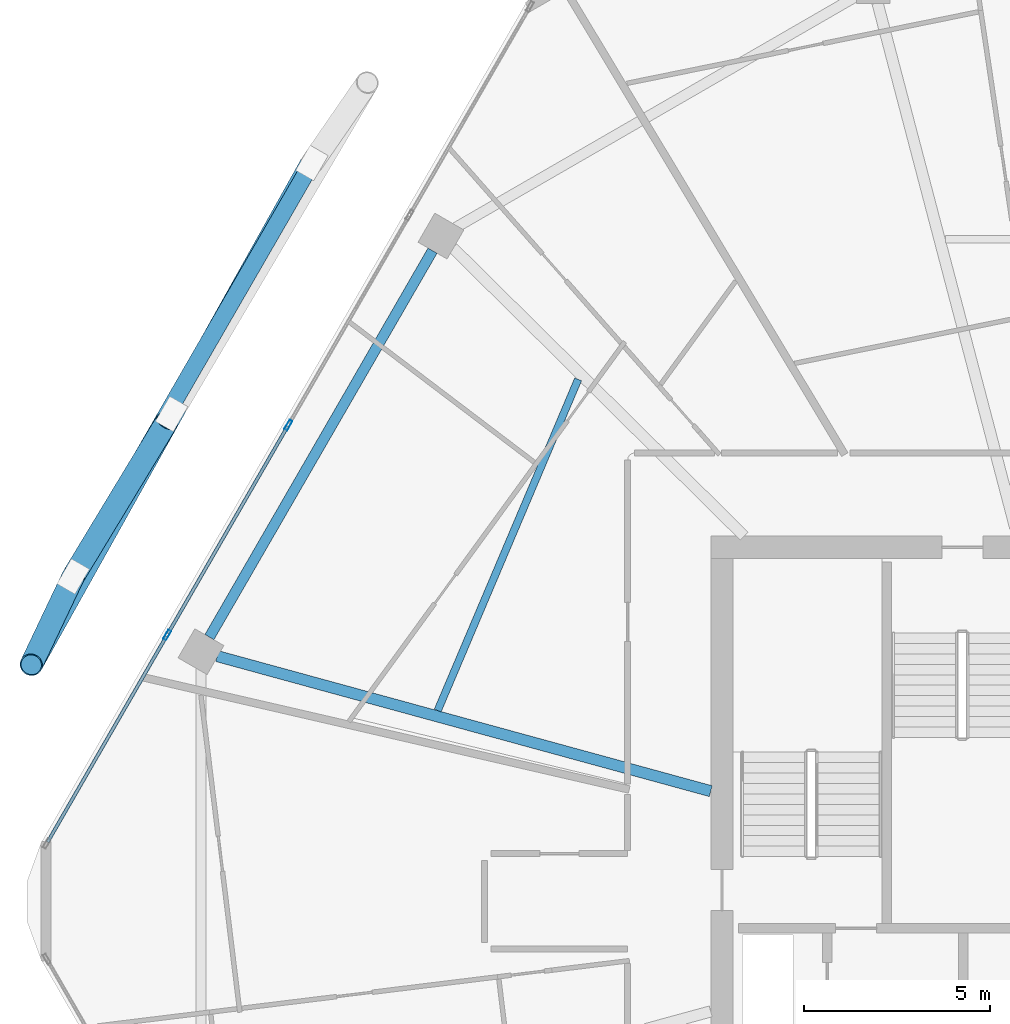
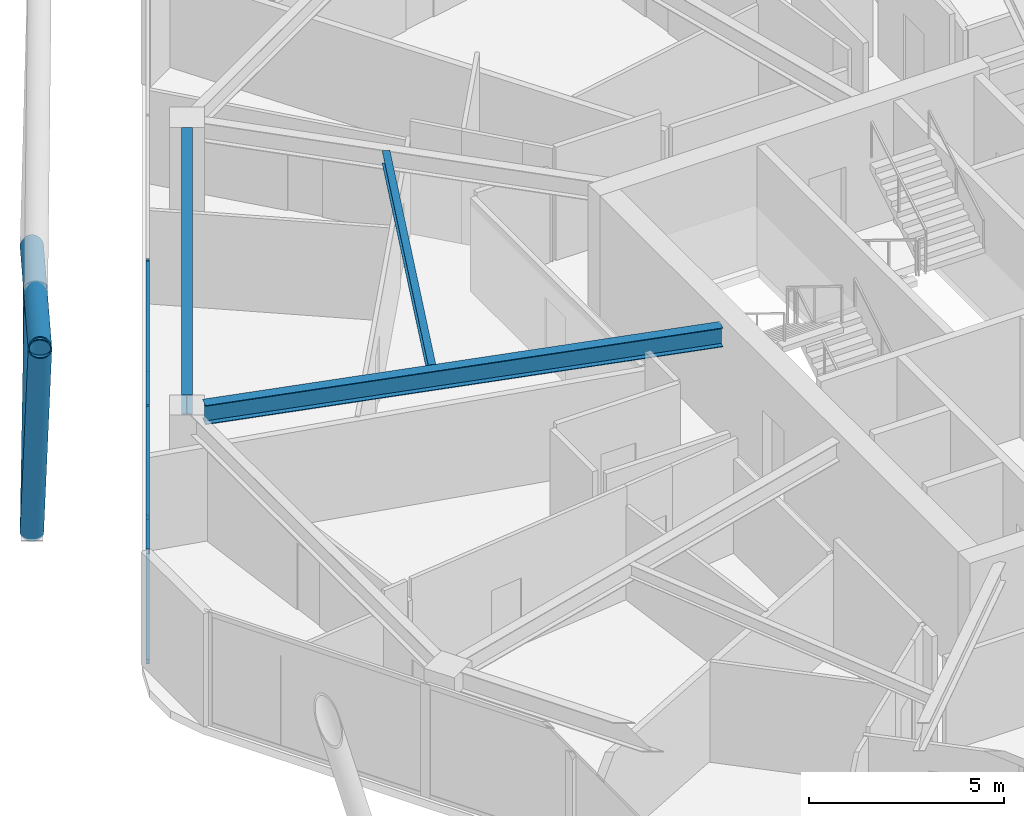
# One storey, part 12 of 28: 10 members, 3 beams, 1 element without a shape of its own.
"""IFC4 building model written with IfcOpenShell, lengths in metres."""

import ifcopenshell
import ifcopenshell.guid

model = None  # the IFC model being written
_history = None  # IfcOwnerHistory: only IFC2X3 demands one
_inside = {}  # id of a spatial element -> (the spatial element, [elements in it])
_under = {}  # id of a project, library or spatial element -> (it, [spatial elements below it])
_declared = {}  # id of a project -> (the project, [libraries it declares])
_typed = {}  # id of a type object -> (the type object, [elements of that type])
_made_of = {}  # id of a material, layer set ... -> (it, [elements and type objects made of it])


def new_model(schema):
    """Start an empty IFC model of exactly this schema.

    Asked for "IFC4X3", IfcOpenShell would pick the latest addendum, in which some entities
    have other attributes; the version numbers below select the first issue.
    IFC2X3 requires an IfcOwnerHistory on every rooted entity: one is made here for all.
    """
    global model, _history
    if schema == "IFC4X3":
        model = ifcopenshell.file(schema_version=(4, 3, 0, 0))
    else:
        model = ifcopenshell.file(schema=schema)
    _inside.clear()
    _under.clear()
    _declared.clear()
    _typed.clear()
    _made_of.clear()
    _history = None
    if model.schema == "IFC2X3":
        org = make("IfcOrganization", Name="unknown")
        user = make(
            "IfcPersonAndOrganization",
            ThePerson=make("IfcPerson", FamilyName="unknown"),
            TheOrganization=org,
        )
        app = make(
            "IfcApplication",
            ApplicationDeveloper=org,
            Version="unknown",
            ApplicationFullName="unknown",
            ApplicationIdentifier="unknown",
        )
        _history = make(
            "IfcOwnerHistory",
            OwningUser=user,
            OwningApplication=app,
            ChangeAction="ADDED",
            CreationDate=0,
        )
    return model


def make(cls, **values):
    """One entity of the class cls with the attributes given. An attribute that is None is left unset."""
    return model.create_entity(
        cls, **{name: value for name, value in values.items() if value is not None}
    )


def rooted(cls, **values):
    """An entity with a GlobalId (a new one), such as an element, a storey or a relation."""
    return make(cls, GlobalId=ifcopenshell.guid.new(), OwnerHistory=_history, **values)


def si_unit(unit_type, name, prefix=None):
    """IfcSIUnit, for example si_unit("LENGTHUNIT", "METRE", prefix="MILLI")."""
    return make("IfcSIUnit", UnitType=unit_type, Prefix=prefix, Name=name)


def assignment(units):
    """IfcUnitAssignment: the units of a project."""
    return None if units is None else make("IfcUnitAssignment", Units=units)


def point(xyz):
    """IfcCartesianPoint."""
    return None if xyz is None else make("IfcCartesianPoint", Coordinates=xyz)


def direction(xyz):
    """IfcDirection."""
    return None if xyz is None else make("IfcDirection", DirectionRatios=xyz)


def frame(location, z_axis=None, x_axis=None):
    """IfcAxis2Placement3D, a coordinate frame: its origin and axes. An axis left out is left unset."""
    return make(
        "IfcAxis2Placement3D",
        Location=point(location),
        Axis=direction(z_axis),
        RefDirection=direction(x_axis),
    )


def frame_2d(location, x_axis=None):
    """IfcAxis2Placement2D, a coordinate frame in the plane: its origin and x axis."""
    return make(
        "IfcAxis2Placement2D", Location=point(location), RefDirection=direction(x_axis)
    )


def origin():
    """The frame at (0, 0, 0) with its axes left unset."""
    return frame((0.0, 0.0, 0.0))


def origin_2d():
    """The frame at (0, 0) in the plane with its x axis left unset."""
    return frame_2d((0.0, 0.0))


def place(relative_to, where):
    """IfcLocalPlacement: puts the frame where relative to a parent placement (None: the world)."""
    return make(
        "IfcLocalPlacement", PlacementRelTo=relative_to, RelativePlacement=where
    )


def context(
    kind, dimensions, precision=None, world=None, true_north=None, identifier=None
):
    """IfcGeometricRepresentationContext, for example the 3D "Model" context."""
    return make(
        "IfcGeometricRepresentationContext",
        ContextIdentifier=identifier,
        ContextType=kind,
        CoordinateSpaceDimension=dimensions,
        Precision=precision,
        WorldCoordinateSystem=world,
        TrueNorth=true_north,
    )


def subcontext(parent, identifier, kind, view, scale=None):
    """IfcGeometricRepresentationSubContext, for example "Body" below "Model"."""
    return make(
        "IfcGeometricRepresentationSubContext",
        ContextIdentifier=identifier,
        ContextType=kind,
        ParentContext=parent,
        TargetScale=scale,
        TargetView=view,
    )


def project(units=None, contexts=None):
    """IfcProject with its units and contexts."""
    return rooted(
        "IfcProject",
        Name="project",
        RepresentationContexts=contexts,
        UnitsInContext=assignment(units),
    )


def spatial(cls, under=None, at=None, **own):
    """A site, building, storey or space (cls), placed at a placement, below another one or the project."""
    s = rooted(cls, ObjectPlacement=at, **own)
    if under is not None:
        _under.setdefault(under.id(), (under, []))[1].append(s)
    return s


def profile(cls, at=None, kind="AREA", **sizes):
    """A parametric profile (cls). Its sizes go by their IFC names, for example OverallWidth=200.0."""
    return make(cls, ProfileType=kind, Position=at, **sizes)


def hollow_rectangle(**sizes):
    """IfcRectangleHollowProfileDef."""
    return profile("IfcRectangleHollowProfileDef", **sizes)


def hollow_circle(**sizes):
    """IfcCircleHollowProfileDef."""
    return profile("IfcCircleHollowProfileDef", **sizes)


def i_section(**sizes):
    """IfcIShapeProfileDef."""
    return profile("IfcIShapeProfileDef", **sizes)


def extrude(swept, where, along, depth):
    """IfcExtrudedAreaSolid: the profile swept, set in the frame where, extruded along a direction by depth."""
    return make(
        "IfcExtrudedAreaSolid",
        SweptArea=swept,
        Position=where,
        ExtrudedDirection=direction(along),
        Depth=depth,
    )


def shape(context_of_items, identifier, shape_type, items):
    """IfcShapeRepresentation: the items that make up one representation, for example the "Body"."""
    return make(
        "IfcShapeRepresentation",
        ContextOfItems=context_of_items,
        RepresentationIdentifier=identifier,
        RepresentationType=shape_type,
        Items=items,
    )


def material(Name=None, Category=None):
    """IfcMaterial."""
    return make("IfcMaterial", Name=Name, Category=Category)


def material_profile(
    of_material, cross_section, Name=None, Category=None, Priority=None
):
    """IfcMaterialProfile: a cross section and its material."""
    return make(
        "IfcMaterialProfile",
        Name=Name,
        Material=of_material,
        Profile=cross_section,
        Priority=Priority,
        Category=Category,
    )


def profile_set(profiles, Name=None, composite=None):
    """IfcMaterialProfileSet."""
    return make(
        "IfcMaterialProfileSet",
        Name=Name,
        MaterialProfiles=profiles,
        CompositeProfile=composite,
    )


def made_of(thing, what):
    """Note that an element or type object is made of a material, layer set ...; save() writes the relation."""
    if what is not None:
        _made_of.setdefault(what.id(), (what, []))[1].append(thing)
    return thing


def type_object(cls, material=None, **own):
    """A type object (cls), such as IfcWallType, which elements share."""
    return made_of(rooted(cls, **own), material)


def element(
    cls,
    number,
    at=None,
    inside=None,
    cuts=None,
    type_object=None,
    material=None,
    context=None,
    identifier="Body",
    shape_type=None,
    held_by="IfcProductDefinitionShape",
    body=None,
    shapes=None,
    **own,
):
    """One element of the class cls, such as IfcWall. Its Tag is "e" and its number.

    at: its placement. inside: the storey or other place that contains it. cuts: it is an
    opening in that element (IfcRelVoidsElement). A single representation is given by context,
    identifier, shape_type and body (its items); several are given by shapes. held_by: the class
    of the entity that holds the representations. save() writes the other relations.
    """
    e = rooted(cls, Tag="e%d" % number, ObjectPlacement=at, **own)
    if body is not None:
        shapes = [shape(context, identifier, shape_type, body)]
    if shapes is not None:
        e.Representation = make(held_by, Representations=shapes)
    if inside is not None:
        _inside.setdefault(inside.id(), (inside, []))[1].append(e)
    if cuts is not None:
        rooted(
            "IfcRelVoidsElement", RelatingBuildingElement=cuts, RelatedOpeningElement=e
        )
    if type_object is not None:
        _typed.setdefault(type_object.id(), (type_object, []))[1].append(e)
    return made_of(e, material)


def aggregate(whole, parts):
    """IfcRelAggregates: a whole, such as a stair, and the parts it consists of."""
    return rooted("IfcRelAggregates", RelatingObject=whole, RelatedObjects=parts)


def save(model, path):
    """Write the relations noted so far, then the file.

    IfcRelAggregates (storeys below a building ...), IfcRelContainedInSpatialStructure (elements
    in a storey), IfcRelDefinesByType, IfcRelAssociatesMaterial and IfcRelDeclares: one each for
    every whole, place, type object, material and project.
    """
    for whole, parts in _under.values():
        aggregate(whole, parts)
    for where, things in _inside.values():
        rooted(
            "IfcRelContainedInSpatialStructure",
            RelatedElements=things,
            RelatingStructure=where,
        )
    for kind, things in _typed.values():
        rooted("IfcRelDefinesByType", RelatedObjects=things, RelatingType=kind)
    for what, things in _made_of.values():
        rooted("IfcRelAssociatesMaterial", RelatedObjects=things, RelatingMaterial=what)
    for by, libraries in _declared.values():
        rooted("IfcRelDeclares", RelatingContext=by, RelatedDefinitions=libraries)
    model.write(path)


model = new_model("IFC4")

# Units and contexts
model_context = context("Model", 3, precision=1e-05, world=origin(), true_north=direction((0.0, 1.0)))
body_context = subcontext(model_context, "Body", "Model", "MODEL_VIEW")
ifc_project = project(units=[si_unit("LENGTHUNIT", "METRE"), si_unit("AREAUNIT", "SQUARE_METRE"), si_unit("VOLUMEUNIT", "CUBIC_METRE"), si_unit("PLANEANGLEUNIT", "RADIAN"), si_unit("MASSUNIT", "GRAM", prefix="KILO")], contexts=[model_context])

# Site, building, storey
site_placement = place(None, origin())
site = spatial("IfcSite", under=ifc_project, at=site_placement, CompositionType="ELEMENT")
building_placement = place(site_placement, origin())
building = spatial("IfcBuilding", under=site, at=building_placement, Name="Zuhravey Tower", CompositionType="ELEMENT")
storey_placement = place(building_placement, frame((0.0, 0.0, 254.0)))
storey = spatial("IfcBuildingStorey", under=building, at=storey_placement, Name="L64", CompositionType="ELEMENT", Elevation=254.0)

# Curtain wall, members
ifc_material_1 = material(Name="Thermally broken anodised aluminium", Category="aluminium")
curtain_wall_type = type_object("IfcCurtainWallType", Name="Zone 3-4 High-Rise Curtain Wall CW4", PredefinedType="NOTDEFINED", material=ifc_material_1)
curtain_wall_placement = place(storey_placement, origin())
curtain_wall = element("IfcCurtainWall", 1, at=curtain_wall_placement, inside=storey, type_object=curtain_wall_type, Name="L64 CW4 CW-L64-F3-1", PredefinedType="NOTDEFINED")
ifc_material_2 = material(Name="Anodised aluminium", Category="aluminium")
ifc_material_profile_1 = material_profile(ifc_material_2, hollow_rectangle(XDim=0.090087890625, YDim=0.284912109375, WallThickness=0.0048828125, at=origin_2d()), Name="ALU-RHS-90x285x5")
ifc_profile_set_1 = profile_set([ifc_material_profile_1], Name="Anodised aluminium")
member_type_1 = type_object("IfcMemberType", Name="Curtain-Wall Mullion 90x180", PredefinedType="MULLION", material=ifc_profile_set_1)
member_1_placement = place(storey_placement, frame((10.608154296875, 39.147216796875, 0.0), z_axis=(0.0, 0.0, 1.0), x_axis=(-0.866024851021, 0.500000957414, 0.0)))
member_1 = element("IfcMember", 2, at=member_1_placement, type_object=member_type_1, Name="CW4 mullion 2", PredefinedType="MULLION", context=body_context, shape_type="SweptSolid", body=[
    extrude(hollow_rectangle(XDim=0.090087890625, YDim=0.284912109375, WallThickness=0.0048828125, at=origin_2d()), origin(), (0.0, 0.0, 1.0), 3.550048828125),
])
member_2_placement = place(storey_placement, frame((13.861328125, 44.78173828125, 0.0), z_axis=(0.0, 0.0, 1.0), x_axis=(-0.866024851021, 0.500000957414, 0.0)))
member_2 = element("IfcMember", 3, at=member_2_placement, type_object=member_type_1, Name="CW4 mullion 3", PredefinedType="MULLION", context=body_context, shape_type="SweptSolid", body=[
    extrude(hollow_rectangle(XDim=0.090087890625, YDim=0.284912109375, WallThickness=0.0048828125, at=origin_2d()), origin(), (0.0, 0.0, 1.0), 3.550048828125),
])
ifc_material_profile_2 = material_profile(ifc_material_2, hollow_rectangle(XDim=0.090087890625, YDim=0.14990234375, WallThickness=0.0048828125, at=origin_2d()), Name="ALU-RHS-90x150x5")
ifc_profile_set_2 = profile_set([ifc_material_profile_2], Name="Anodised aluminium")
member_type_2 = type_object("IfcMemberType", Name="Curtain-Wall Transom 90x150", PredefinedType="USERDEFINED", material=ifc_profile_set_2)
member_3_placement = place(storey_placement, frame((7.39990234375, 33.59033203125, 0.044921875), z_axis=(0.500008810174, 0.866020317169, 0.0), x_axis=(-0.866020317169, 0.500008810174, 0.0)))
member_3 = element("IfcMember", 4, at=member_3_placement, type_object=member_type_2, Name="CW4 transom 1.1", ObjectType="TRANSOM", PredefinedType="USERDEFINED", context=body_context, shape_type="SweptSolid", body=[
    extrude(hollow_rectangle(XDim=0.090087890625, YDim=0.14990234375, WallThickness=0.0048828125, at=origin_2d()), origin(), (0.0, 0.0, 1.0), 6.37158203125),
])
member_4_placement = place(storey_placement, frame((7.39990234375, 33.59033203125, 3.5048828125), z_axis=(0.500008810174, 0.866020317169, 0.0), x_axis=(-0.866020317169, 0.500008810174, 0.0)))
member_4 = element("IfcMember", 5, at=member_4_placement, type_object=member_type_2, Name="CW4 transom 1.2", ObjectType="TRANSOM", PredefinedType="USERDEFINED", context=body_context, shape_type="SweptSolid", body=[
    extrude(hollow_rectangle(XDim=0.090087890625, YDim=0.14990234375, WallThickness=0.0048828125, at=origin_2d()), origin(), (0.0, 0.0, 1.0), 6.37158203125),
])
member_5_placement = place(storey_placement, frame((10.630615234375, 39.18603515625, 0.044921875), z_axis=(0.499998017366, 0.866026548456, 0.0), x_axis=(-0.866026548456, 0.499998017366, 0.0)))
member_5 = element("IfcMember", 6, at=member_5_placement, type_object=member_type_2, Name="CW4 transom 2.1", ObjectType="TRANSOM", PredefinedType="USERDEFINED", context=body_context, shape_type="SweptSolid", body=[
    extrude(hollow_rectangle(XDim=0.090087890625, YDim=0.14990234375, WallThickness=0.0048828125, at=origin_2d()), origin(), (0.0, 0.0, 1.0), 6.41650390625),
])
member_6_placement = place(storey_placement, frame((10.630615234375, 39.18603515625, 3.5048828125), z_axis=(0.499998017366, 0.866026548456, 0.0), x_axis=(-0.866026548456, 0.499998017366, 0.0)))
member_6 = element("IfcMember", 7, at=member_6_placement, type_object=member_type_2, Name="CW4 transom 2.2", ObjectType="TRANSOM", PredefinedType="USERDEFINED", context=body_context, shape_type="SweptSolid", body=[
    extrude(hollow_rectangle(XDim=0.090087890625, YDim=0.14990234375, WallThickness=0.0048828125, at=origin_2d()), origin(), (0.0, 0.0, 1.0), 6.41650390625),
])
aggregate(curtain_wall, [member_1, member_2, member_3, member_4, member_5, member_6])

# Members
ifc_material_3 = material(Name="Steel SM355", Category="steel")
ifc_material_profile_3 = material_profile(ifc_material_3, hollow_circle(Radius=0.228515625, WallThickness=0.02197265625, at=origin_2d()), Name="CHS-457.2x22")
ifc_profile_set_3 = profile_set([ifc_material_profile_3], Name="Steel SM355")
member_type_3 = type_object("IfcMemberType", Name="Exoskeleton Ring Tie CHS457x22", PredefinedType="CHORD", material=ifc_profile_set_3)
member_7_placement = place(storey_placement, frame((14.423095703125, 51.69482421875, -0.464111328125), z_axis=(-0.50000793057, -0.866020825019, 0.0), x_axis=(0.866020825019, -0.50000793057, 0.0)))
element("IfcMember", 8, at=member_7_placement, inside=storey, type_object=member_type_3, Name="L64 Exoskeleton Face 3 Tie EXR1", PredefinedType="CHORD", context=body_context, shape_type="SweptSolid", body=[
    extrude(hollow_circle(Radius=0.228515625, WallThickness=0.02197265625, at=origin_2d()), origin(), (0.0, 0.0, 1.0), 12.535400390625),
])
ifc_material_profile_4 = material_profile(ifc_material_3, hollow_circle(Radius=0.3046875, WallThickness=0.028076171875, at=origin_2d()), Name="CHS-609.6x28")
ifc_profile_set_4 = profile_set([ifc_material_profile_4], Name="Steel SM355")
member_type_4 = type_object("IfcMemberType", Name="Exoskeleton Zone 3 Diagrid CHS610x28", PredefinedType="BRACE", material=ifc_profile_set_4)
member_8_placement = place(storey_placement, frame((14.47509765625, 51.7841796875, -0.446044921875), z_axis=(-0.437977975329, -0.783008764538, 0.441670202507), x_axis=(0.872746787805, -0.488173170479, 0.0)))
element("IfcMember", 9, at=member_8_placement, inside=storey, type_object=member_type_4, Name="L64 Face 3 Diagrid Brace 2", PredefinedType="BRACE", context=body_context, shape_type="SweptSolid", body=[
    extrude(hollow_circle(Radius=0.3046875, WallThickness=0.028076171875, at=origin_2d()), origin(), (0.0, 0.0, 1.0), 17.125732421875),
])
member_9_placement = place(storey_placement, frame((8.08251953125, 40.7119140625, -0.446044921875), z_axis=(-0.140342589475, -0.295326440186, 0.945032407543), x_axis=(0.903203375157, -0.429212841262, 0.0)))
element("IfcMember", 10, at=member_9_placement, inside=storey, type_object=member_type_4, Name="L64 Face 3 Diagrid Brace 4", PredefinedType="BRACE", context=body_context, shape_type="SweptSolid", body=[
    extrude(hollow_circle(Radius=0.3046875, WallThickness=0.028076171875, at=origin_2d()), origin(), (0.0, 0.0, 1.0), 8.00390625),
])
member_10_placement = place(storey_placement, frame((8.102294921875, 40.74560546875, -0.439697265625), z_axis=(0.415093082295, 0.685957533065, 0.597628643776), x_axis=(-0.855550761535, 0.517718933821, 0.0)))
element("IfcMember", 11, at=member_10_placement, inside=storey, type_object=member_type_4, Name="L64 Face 3 Split Diagrid Brace 3A", PredefinedType="BRACE", context=body_context, shape_type="SweptSolid", body=[
    extrude(hollow_circle(Radius=0.3046875, WallThickness=0.028076171875, at=origin_2d()), origin(), (0.0, 0.0, 1.0), 6.022705078125),
])

# Beams
ifc_material_profile_5 = material_profile(ifc_material_3, i_section(OverallWidth=0.280029296875, OverallDepth=0.6201171875, WebThickness=0.011962890625, FlangeThickness=0.02001953125, at=origin_2d()), Name="H-620x280x12x20")
ifc_profile_set_5 = profile_set([ifc_material_profile_5], Name="Steel SM355")
beam_type_1 = type_object("IfcBeamType", Name="Perimeter Ring Beam H620x280", PredefinedType="BEAM", material=ifc_profile_set_5)
beam_1_placement = place(storey_placement, frame((17.72998046875, 49.46240234375, 3.239990234375), z_axis=(-0.500017744717, -0.866015158625, 0.0), x_axis=(0.866015158625, -0.500017744717, 0.0)))
element("IfcBeam", 12, at=beam_1_placement, inside=storey, type_object=beam_type_1, Name="L64 PB3 BM-L64-PB-05", PredefinedType="BEAM", context=body_context, shape_type="SweptSolid", body=[
    extrude(i_section(OverallWidth=0.280029296875, OverallDepth=0.6201171875, WebThickness=0.011962890625, FlangeThickness=0.02001953125, at=origin_2d()), origin(), (0.0, 0.0, 1.0), 11.9755859375),
])
ifc_material_profile_6 = material_profile(ifc_material_3, i_section(OverallWidth=0.300048828125, OverallDepth=0.60009765625, WebThickness=0.011962890625, FlangeThickness=0.02001953125, at=origin_2d()), Name="H-600x300x12x20")
ifc_profile_set_6 = profile_set([ifc_material_profile_6], Name="Steel SM355")
beam_type_2 = type_object("IfcBeamType", Name="Radial Primary Girder H600x300", PredefinedType="BEAM", material=ifc_profile_set_6)
beam_2_placement = place(storey_placement, frame((25.197021484375, 34.95556640625, 3.25), z_axis=(-0.964548913045, 0.26390413855, 0.0), x_axis=(-0.26390413855, -0.964548913045, 0.0)))
element("IfcBeam", 13, at=beam_2_placement, inside=storey, type_object=beam_type_2, Name="L64 RG3 BM-L64-RAD-06", PredefinedType="BEAM", context=body_context, shape_type="SweptSolid", body=[
    extrude(i_section(OverallWidth=0.300048828125, OverallDepth=0.60009765625, WebThickness=0.011962890625, FlangeThickness=0.02001953125, at=origin_2d()), origin(), (0.0, 0.0, 1.0), 13.7314453125),
])
ifc_material_profile_7 = material_profile(ifc_material_3, i_section(OverallWidth=0.199951171875, OverallDepth=0.39990234375, WebThickness=0.008056640625, FlangeThickness=0.012939453125, at=origin_2d()), Name="H-400x200x8x13")
ifc_profile_set_7 = profile_set([ifc_material_profile_7], Name="Steel SM355")
beam_type_3 = type_object("IfcBeamType", Name="Secondary Floor Joist H400x200", PredefinedType="JOIST", material=ifc_profile_set_7)
beam_3_placement = place(storey_placement, frame((21.63916015625, 46.009033203125, 3.35009765625), z_axis=(-0.390413493754, -0.920639616731, 0.0), x_axis=(0.920639616731, -0.390413493754, 0.0)))
element("IfcBeam", 14, at=beam_3_placement, inside=storey, type_object=beam_type_3, Name="L64 SJ2 BM-L64-SJ-05-1", PredefinedType="JOIST", context=body_context, shape_type="SweptSolid", body=[
    extrude(i_section(OverallWidth=0.199951171875, OverallDepth=0.39990234375, WebThickness=0.008056640625, FlangeThickness=0.012939453125, at=origin_2d()), origin(), (0.0, 0.0, 1.0), 9.656494140625),
])

save(model, "model.ifc")
